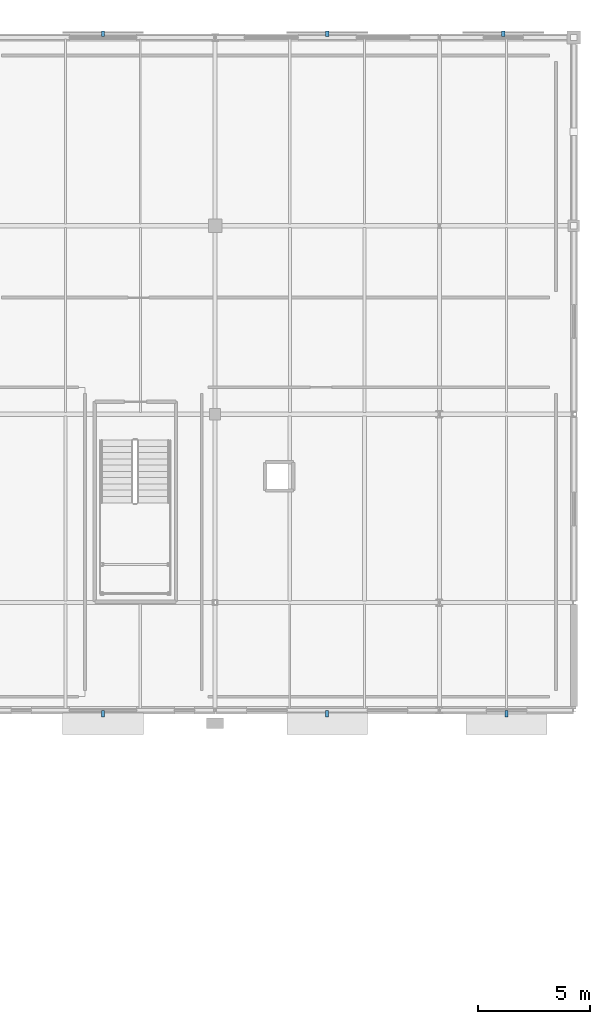
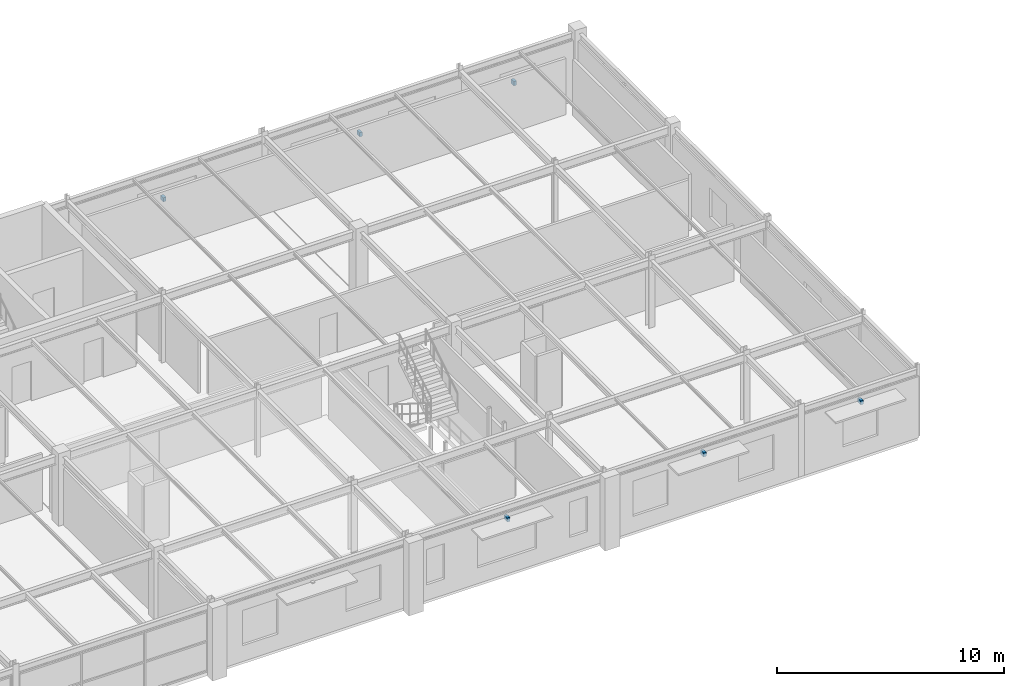
# One storey, part 87 of 98: 6 discrete accessories.
"""IFC4 building model written with IfcOpenShell, lengths in metres."""

from ifc_helpers import new_model, si_unit, derived_unit, direction, frame, origin, origin_2d_with_axis, place, context, subcontext, project, spatial, rectangle, extrude, material, type_object, element, save


model = new_model("IFC4")

# Units and contexts
model_context = context("Model", 3, precision=1e-05, world=origin(), true_north=direction((0.0, 1.0)))
body_context = subcontext(model_context, "Body", "Model", "MODEL_VIEW")
ifc_project = project(units=[si_unit("LENGTHUNIT", "METRE"), si_unit("AREAUNIT", "SQUARE_METRE"), si_unit("VOLUMEUNIT", "CUBIC_METRE"), si_unit("PLANEANGLEUNIT", "RADIAN"), si_unit("MASSUNIT", "GRAM", prefix="KILO"), derived_unit("THERMALTRANSMITTANCEUNIT", [(si_unit("POWERUNIT", "WATT"), 1), (si_unit("LENGTHUNIT", "METRE"), -2), (si_unit("THERMODYNAMICTEMPERATUREUNIT", "KELVIN"), -1)])], contexts=[model_context])

# Site, building, storey
site_placement = place(None, origin())
site = spatial("IfcSite", under=ifc_project, at=site_placement, CompositionType="ELEMENT")
building_placement = place(site_placement, origin())
building = spatial("IfcBuilding", under=site, at=building_placement, Name="Cinnabar Yard Market Hall", CompositionType="ELEMENT")
storey_placement = place(building_placement, frame((0.0, 0.0, 4.5)))
storey = spatial("IfcBuildingStorey", under=building, at=storey_placement, Name="L01", CompositionType="ELEMENT", Elevation=4.5)

# Discrete accessories
ifc_material = material(Name="Galvanised steel Grade 350 (350 MPa)", Category="steel")
discrete_accessory_type = type_object("IfcDiscreteAccessoryType", Name="ACC-BRK1", PredefinedType="BRACKET", material=ifc_material)
discrete_accessory_1_placement = place(storey_placement, frame((141.0, 107.840087890625, 2.89990234375), z_axis=(0.0, 0.0, 1.0), x_axis=(1.0, 0.0, 0.0)))
element("IfcDiscreteAccessory", 1, at=discrete_accessory_1_placement, inside=storey, type_object=discrete_accessory_type, Name="Chhajja Bracket V3S-L01-8", PredefinedType="BRACKET", context=body_context, shape_type="SweptSolid", body=[
    extrude(rectangle(XDim=0.139892578125, YDim=0.280029296875, at=origin_2d_with_axis()), origin(), (0.0, 0.0, 1.0), 0.219970703125),
])
discrete_accessory_2_placement = place(storey_placement, frame((140.9990234375, 138.159912109375, 1.740234375), z_axis=(0.0, 0.0, 1.0), x_axis=(1.0, 0.0, 0.0)))
element("IfcDiscreteAccessory", 2, at=discrete_accessory_2_placement, inside=storey, type_object=discrete_accessory_type, Name="Jali Bracket V3N-L01-8", PredefinedType="BRACKET", context=body_context, shape_type="SweptSolid", body=[
    extrude(rectangle(XDim=0.139892578125, YDim=0.239990234375, at=origin_2d_with_axis()), origin(), (0.0, 0.0, 1.0), 0.219970703125),
])
discrete_accessory_3_placement = place(storey_placement, frame((150.99951171875, 107.840087890625, 2.89990234375), z_axis=(0.0, 0.0, 1.0), x_axis=(1.0, 0.0, 0.0)))
element("IfcDiscreteAccessory", 3, at=discrete_accessory_3_placement, inside=storey, type_object=discrete_accessory_type, Name="Chhajja Bracket V3S-L01-9", PredefinedType="BRACKET", context=body_context, shape_type="SweptSolid", body=[
    extrude(rectangle(XDim=0.139892578125, YDim=0.280029296875, at=origin_2d_with_axis()), origin(), (0.0, 0.0, 1.0), 0.219970703125),
])
discrete_accessory_4_placement = place(storey_placement, frame((151.0009765625, 138.159912109375, 1.740234375), z_axis=(0.0, 0.0, 1.0), x_axis=(1.0, 0.0, 0.0)))
element("IfcDiscreteAccessory", 4, at=discrete_accessory_4_placement, inside=storey, type_object=discrete_accessory_type, Name="Jali Bracket V3N-L01-9", PredefinedType="BRACKET", context=body_context, shape_type="SweptSolid", body=[
    extrude(rectangle(XDim=0.139892578125, YDim=0.239990234375, at=origin_2d_with_axis()), origin(), (0.0, 0.0, 1.0), 0.219970703125),
])
discrete_accessory_5_placement = place(storey_placement, frame((159.00048828125, 107.840087890625, 2.89990234375), z_axis=(0.0, 0.0, 1.0), x_axis=(1.0, 0.0, 0.0)))
element("IfcDiscreteAccessory", 5, at=discrete_accessory_5_placement, inside=storey, type_object=discrete_accessory_type, Name="Chhajja Bracket V3S-L01-10", PredefinedType="BRACKET", context=body_context, shape_type="SweptSolid", body=[
    extrude(rectangle(XDim=0.139892578125, YDim=0.280029296875, at=origin_2d_with_axis()), origin(), (0.0, 0.0, 1.0), 0.219970703125),
])
discrete_accessory_6_placement = place(storey_placement, frame((158.85302734375, 138.159912109375, 1.740234375), z_axis=(0.0, 0.0, 1.0), x_axis=(1.0, 0.0, 0.0)))
element("IfcDiscreteAccessory", 6, at=discrete_accessory_6_placement, inside=storey, type_object=discrete_accessory_type, Name="Jali Bracket V3N-L01-10", PredefinedType="BRACKET", context=body_context, shape_type="SweptSolid", body=[
    extrude(rectangle(XDim=0.139892578125, YDim=0.239990234375, at=origin_2d_with_axis()), origin(), (0.0, 0.0, 1.0), 0.219970703125),
])

save(model, "model.ifc")
